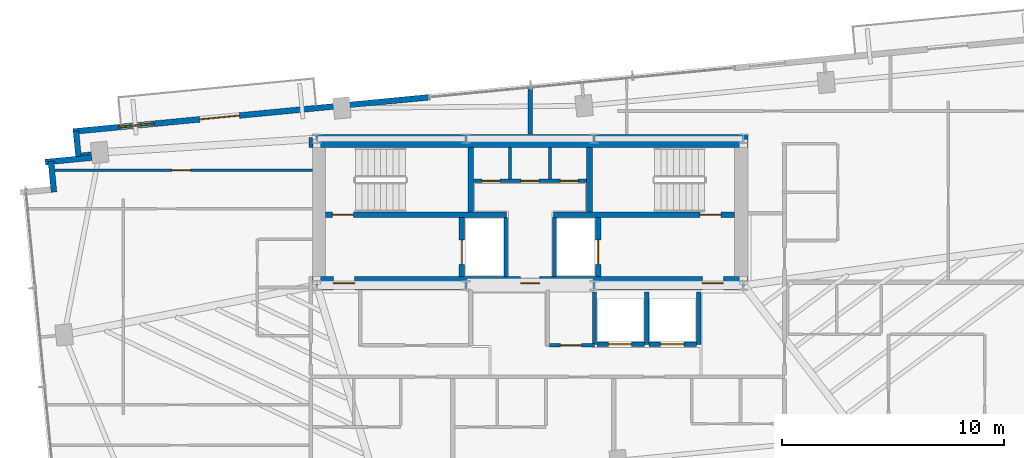
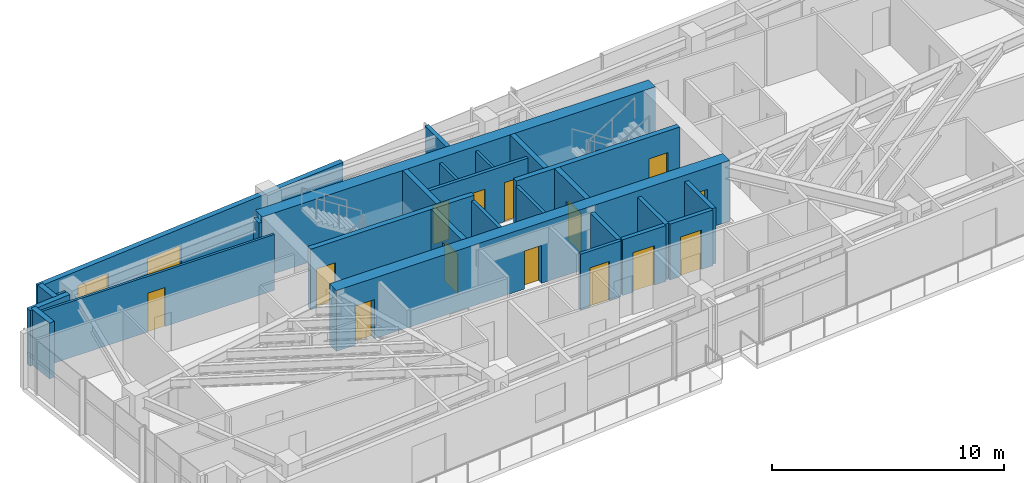
# One storey, part 14 of 18: 27 walls, 15 doors, 1 window, 16 openings.
"""IFC4 building model written with IfcOpenShell, lengths in metres."""

from ifc_helpers import new_model, si_unit, direction, frame, frame_2d, origin, place, context, subcontext, project, spatial, rectangle, extrude, source, transform, mapped, material, layer, layer_set, type_object, type_shapes, element, fill, save


model = new_model("IFC4")

# Units and contexts
model_context = context("Model", 3, precision=1e-05, world=origin(), true_north=direction((0.0, 1.0)))
body_context = subcontext(model_context, "Body", "Model", "MODEL_VIEW")
ifc_project = project(units=[si_unit("LENGTHUNIT", "METRE"), si_unit("AREAUNIT", "SQUARE_METRE"), si_unit("VOLUMEUNIT", "CUBIC_METRE"), si_unit("PLANEANGLEUNIT", "RADIAN"), si_unit("MASSUNIT", "GRAM", prefix="KILO")], contexts=[model_context])

# Site, building, storey
site_placement = place(None, origin())
site = spatial("IfcSite", under=ifc_project, at=site_placement, CompositionType="ELEMENT")
building_placement = place(site_placement, origin())
building = spatial("IfcBuilding", under=site, at=building_placement, Name="Astriad Promenade Condominiums", CompositionType="ELEMENT")
storey_placement = place(building_placement, frame((0.0, 0.0, 192.199951171875)))
storey = spatial("IfcBuildingStorey", under=building, at=storey_placement, Name="L55", CompositionType="ELEMENT", Elevation=192.199951171875)

# Wall, openings, doors
ifc_material_1 = material(Name="Concrete C50/60", Category="concrete")
ifc_layer_1 = layer(ifc_material_1, 0.60009765625)
ifc_layer_set_1 = layer_set([ifc_layer_1], Name="Concrete C50/60")
wall_type_1 = type_object("IfcWallType", Name="CW-SHEAR-600", PredefinedType="SHEAR", material=ifc_layer_set_1)
wall_1_placement = place(storey_placement, frame((26.199951171875, 17.5, 0.0), z_axis=(0.0, 0.0, 1.0), x_axis=(1.0, 0.0, 0.0)))
wall_1 = element("IfcWall", 1, at=wall_1_placement, inside=storey, type_object=wall_type_1, Name="CW-CORE-S-L55", PredefinedType="SHEAR", context=body_context, shape_type="SweptSolid", body=[
    extrude(rectangle(XDim=19.60009765625, YDim=0.60009765625, at=frame_2d((9.800048828125, 0.0))), origin(), (0.0, 0.0, 1.0), 3.199951171875),
])
opening_1_placement = place(wall_1_placement, frame((0.949951171875, 0.0, 0.0)))
opening_1 = element("IfcOpeningElement", 2, at=opening_1_placement, cuts=wall_1, Name="Opening FD90-ST-095", PredefinedType="OPENING", context=body_context, shape_type="SweptSolid", body=[
    extrude(rectangle(XDim=0.949951171875, YDim=2.06005859375, at=frame_2d((0.47509765625, 1.030029296875))), frame((0.0, 0.31005859375, 0.0), z_axis=(0.0, -1.0, 0.0), x_axis=(1.0, 0.0, 0.0)), (0.0, 0.0, 1.0), 0.6201171875),
])
opening_2_placement = place(wall_1_placement, frame((9.3798828125, 0.0, 0.0)))
opening_2 = element("IfcOpeningElement", 3, at=opening_2_placement, cuts=wall_1, Name="Opening FD60-ULOW-085", PredefinedType="OPENING", context=body_context, shape_type="SweptSolid", body=[
    extrude(rectangle(XDim=0.85009765625, YDim=2.0, at=frame_2d((0.425048828125, 1.0))), frame((0.0, 0.31005859375, 0.0), z_axis=(0.0, -1.0, 0.0), x_axis=(1.0, 0.0, 0.0)), (0.0, 0.0, 1.0), 0.6201171875),
])
opening_3_placement = place(wall_1_placement, frame((17.550048828125, 0.0, 0.0)))
opening_3 = element("IfcOpeningElement", 4, at=opening_3_placement, cuts=wall_1, Name="Opening FD90-ST-095", PredefinedType="OPENING", context=body_context, shape_type="SweptSolid", body=[
    extrude(rectangle(XDim=0.949951171875, YDim=2.06005859375, at=frame_2d((0.47509765625, 1.030029296875))), frame((0.0, 0.31005859375, 0.0), z_axis=(0.0, -1.0, 0.0), x_axis=(1.0, 0.0, 0.0)), (0.0, 0.0, 1.0), 0.6201171875),
])
ifc_material_2 = material(Name="Fire-Rated Hollow Metal Stair Door")
door_type_1 = type_object("IfcDoorType", Name="FD90-ST-095", OperationType="NOTDEFINED", PredefinedType="DOOR", material=ifc_material_2)
shared_shape_1 = source(origin(), body_context, "Body", "SweptSolid", [
    extrude(rectangle(XDim=0.949951171875, YDim=2.06005859375, at=frame_2d((0.47509765625, 1.030029296875))), frame((0.0, 0.02490234375, 0.0), z_axis=(0.0, -1.0, 0.0), x_axis=(1.0, 0.0, 0.0)), (0.0, 0.0, 1.0), 0.050048828125),
])
type_shapes(door_type_1, [shared_shape_1])
door_1_placement = place(opening_1_placement, origin())
door_1 = element("IfcDoor", 5, at=door_1_placement, inside=storey, type_object=door_type_1, Name="D-FFW-L55", OperationType="SINGLE_SWING_LEFT", OverallHeight=2.06005859375, OverallWidth=0.949951171875, PredefinedType="DOOR", context=body_context, shape_type="MappedRepresentation", body=[
    mapped(shared_shape_1, transform((0.0, 0.0, 0.0), scale=1.0)),
])
fill(opening_1, door_1)
door_2_placement = place(opening_3_placement, origin())
door_2 = element("IfcDoor", 6, at=door_2_placement, inside=storey, type_object=door_type_1, Name="D-FFE-L55", OperationType="SINGLE_SWING_RIGHT", OverallHeight=2.06005859375, OverallWidth=0.949951171875, PredefinedType="DOOR", context=body_context, shape_type="MappedRepresentation", body=[
    mapped(shared_shape_1, transform((0.0, 0.0, 0.0), scale=1.0)),
])
fill(opening_3, door_2)
ifc_material_3 = material(Name="Solid-Core Low-Headroom Fire Door")
door_type_2 = type_object("IfcDoorType", Name="FD60-ULOW-085", OperationType="NOTDEFINED", PredefinedType="DOOR", material=ifc_material_3)
shared_shape_2 = source(origin(), body_context, "Body", "SweptSolid", [
    extrude(rectangle(XDim=0.85009765625, YDim=2.0, at=frame_2d((0.425048828125, 1.0))), frame((0.0, 0.02490234375, 0.0), z_axis=(0.0, -1.0, 0.0), x_axis=(1.0, 0.0, 0.0)), (0.0, 0.0, 1.0), 0.050048828125),
])
type_shapes(door_type_2, [shared_shape_2])
door_3_placement = place(opening_2_placement, origin())
door_3 = element("IfcDoor", 7, at=door_3_placement, inside=storey, type_object=door_type_2, Name="D-CSL-L55", OperationType="SINGLE_SWING_RIGHT", OverallHeight=2.0, OverallWidth=0.85009765625, PredefinedType="DOOR", context=body_context, shape_type="MappedRepresentation", body=[
    mapped(shared_shape_2, transform((0.0, 0.0, 0.0), scale=1.0)),
])
fill(opening_2, door_3)

# Wall
wall_2_placement = place(storey_placement, frame((26.199951171875, 23.89990234375, 0.0), z_axis=(0.0, 0.0, 1.0), x_axis=(1.0, 0.0, 0.0)))
element("IfcWall", 8, at=wall_2_placement, inside=storey, type_object=wall_type_1, Name="CW-CORE-N-L55", PredefinedType="SHEAR", context=body_context, shape_type="SweptSolid", body=[
    extrude(rectangle(XDim=19.60009765625, YDim=0.60009765625, at=frame_2d((9.800048828125, 0.0))), origin(), (0.0, 0.0, 1.0), 3.199951171875),
])

# Wall, opening, door
ifc_layer_2 = layer(ifc_material_1, 0.25)
ifc_layer_set_2 = layer_set([ifc_layer_2], Name="Concrete C50/60")
wall_type_2 = type_object("IfcWallType", Name="WALL-CORE-INT-250", PredefinedType="SOLIDWALL", material=ifc_layer_set_2)
wall_3_placement = place(storey_placement, frame((26.802001953125, 20.574951171875, 0.0), z_axis=(0.0, 0.0, 1.0), x_axis=(1.0, 0.0, 0.0)))
wall_3 = element("IfcWall", 9, at=wall_3_placement, inside=storey, type_object=wall_type_2, Name="CW-INT-H1-L55", PredefinedType="SOLIDWALL", context=body_context, shape_type="SweptSolid", body=[
    extrude(rectangle(XDim=8.14794921875, YDim=0.25, at=frame_2d((4.073974609375, 0.0))), origin(), (0.0, 0.0, 1.0), 3.199951171875),
])
opening_4_placement = place(wall_3_placement, frame((0.298095703125, 0.0, 0.0)))
opening_4 = element("IfcOpeningElement", 10, at=opening_4_placement, cuts=wall_3, Name="Opening FD90-ST-095", PredefinedType="OPENING", context=body_context, shape_type="SweptSolid", body=[
    extrude(rectangle(XDim=0.949951171875, YDim=2.06005859375, at=frame_2d((0.47509765625, 1.030029296875))), frame((0.0, 0.135009765625, 0.0), z_axis=(0.0, -1.0, 0.0), x_axis=(1.0, 0.0, 0.0)), (0.0, 0.0, 1.0), 0.27001953125),
])
door_4_placement = place(opening_4_placement, origin())
door_4 = element("IfcDoor", 11, at=door_4_placement, inside=storey, type_object=door_type_1, Name="D-ST1-L55", OperationType="SINGLE_SWING_RIGHT", OverallHeight=2.06005859375, OverallWidth=0.949951171875, PredefinedType="DOOR", context=body_context, shape_type="MappedRepresentation", body=[
    mapped(shared_shape_1, transform((0.0, 0.0, 0.0), scale=1.0)),
])
fill(opening_4, door_4)

wall_4_placement = place(storey_placement, frame((37.050048828125, 20.574951171875, 0.0), z_axis=(0.0, 0.0, 1.0), x_axis=(1.0, 0.0, 0.0)))
wall_4 = element("IfcWall", 12, at=wall_4_placement, inside=storey, type_object=wall_type_2, Name="CW-INT-H2-L55", PredefinedType="SOLIDWALL", context=body_context, shape_type="SweptSolid", body=[
    extrude(rectangle(XDim=8.14794921875, YDim=0.25, at=frame_2d((4.073974609375, 0.0))), origin(), (0.0, 0.0, 1.0), 3.199951171875),
])
opening_5_placement = place(wall_4_placement, frame((6.60009765625, 0.0, 0.0)))
opening_5 = element("IfcOpeningElement", 13, at=opening_5_placement, cuts=wall_4, Name="Opening FD90-ST-095", PredefinedType="OPENING", context=body_context, shape_type="SweptSolid", body=[
    extrude(rectangle(XDim=0.949951171875, YDim=2.06005859375, at=frame_2d((0.47509765625, 1.030029296875))), frame((0.0, 0.135009765625, 0.0), z_axis=(0.0, -1.0, 0.0), x_axis=(1.0, 0.0, 0.0)), (0.0, 0.0, 1.0), 0.27001953125),
])
door_5_placement = place(opening_5_placement, origin())
door_5 = element("IfcDoor", 14, at=door_5_placement, inside=storey, type_object=door_type_1, Name="D-ST2-L55", OperationType="SINGLE_SWING_LEFT", OverallHeight=2.06005859375, OverallWidth=0.949951171875, PredefinedType="DOOR", context=body_context, shape_type="MappedRepresentation", body=[
    mapped(shared_shape_1, transform((0.0, 0.0, 0.0), scale=1.0)),
])
fill(opening_5, door_5)

# Walls
for number, where, z_axis, x_axis, name in (
    (15, (33.324951171875, 20.701904296875, 0.0), (0.0, 0.0, 1.0), (0.0, 1.0, 0.0), "CW-ST1-E-L55"),
    (16, (38.675048828125, 20.701904296875, 0.0), (0.0, 0.0, 1.0), (0.0, 1.0, 0.0), "CW-ST2-W-L55"),
):
    element("IfcWall", number, at=place(storey_placement, frame(where, z_axis=z_axis, x_axis=x_axis)), inside=storey, type_object=wall_type_2, Name=name, PredefinedType="SOLIDWALL", context=body_context, shape_type="SweptSolid", body=[
        extrude(rectangle(XDim=2.89599609375, YDim=0.25, at=frame_2d((1.447998046875, 0.0))), origin(), (0.0, 0.0, 1.0), 3.199951171875),
    ])

# Wall, opening, door
wall_5_placement = place(storey_placement, frame((32.925048828125, 17.802001953125, 0.0), z_axis=(0.0, 0.0, 1.0), x_axis=(0.0, 1.0, 0.0)))
wall_5 = element("IfcWall", 17, at=wall_5_placement, inside=storey, type_object=wall_type_2, Name="CW-FFL1-W-L55", PredefinedType="SOLIDWALL", context=body_context, shape_type="SweptSolid", body=[
    extrude(rectangle(XDim=2.64599609375, YDim=0.25, at=frame_2d((1.322998046875, 0.0))), origin(), (0.0, 0.0, 1.0), 3.199951171875),
])
opening_6_placement = place(wall_5_placement, frame((0.548095703125, 0.0, 0.0)))
opening_6 = element("IfcOpeningElement", 18, at=opening_6_placement, cuts=wall_5, Name="Opening LD-FFL-1122", PredefinedType="OPENING", context=body_context, shape_type="SweptSolid", body=[
    extrude(rectangle(XDim=1.10009765625, YDim=2.080078125, at=frame_2d((0.550048828125, 1.0400390625))), frame((0.0, 0.135009765625, 0.0), z_axis=(0.0, -1.0, 0.0), x_axis=(1.0, 0.0, 0.0)), (0.0, 0.0, 1.0), 0.27001953125),
])
ifc_material_4 = material(Name="Brushed Stainless Steel Fire Elevator Landing Door", Category="steel")
door_type_3 = type_object("IfcDoorType", Name="LD-FFL-1122", OperationType="NOTDEFINED", PredefinedType="DOOR", material=ifc_material_4)
shared_shape_3 = source(origin(), body_context, "Body", "SweptSolid", [
    extrude(rectangle(XDim=1.10009765625, YDim=2.080078125, at=frame_2d((0.550048828125, 1.0400390625))), frame((0.0, 0.02490234375, 0.0), z_axis=(0.0, -1.0, 0.0), x_axis=(1.0, 0.0, 0.0)), (0.0, 0.0, 1.0), 0.050048828125),
])
type_shapes(door_type_3, [shared_shape_3])
door_6_placement = place(opening_6_placement, origin())
door_6 = element("IfcDoor", 19, at=door_6_placement, inside=storey, type_object=door_type_3, Name="Elevator Landing Door FFL-1 (L55)", OperationType="SLIDING_TO_LEFT", OverallHeight=2.080078125, OverallWidth=1.10009765625, PredefinedType="DOOR", context=body_context, shape_type="MappedRepresentation", body=[
    mapped(shared_shape_3, transform((0.0, 0.0, 0.0), scale=1.0)),
])
fill(opening_6, door_6)

wall_6_placement = place(storey_placement, frame((39.074951171875, 17.802001953125, 0.0), z_axis=(0.0, 0.0, 1.0), x_axis=(0.0, 1.0, 0.0)))
wall_6 = element("IfcWall", 20, at=wall_6_placement, inside=storey, type_object=wall_type_2, Name="CW-FFL2-E-L55", PredefinedType="SOLIDWALL", context=body_context, shape_type="SweptSolid", body=[
    extrude(rectangle(XDim=2.64599609375, YDim=0.25, at=frame_2d((1.322998046875, 0.0))), origin(), (0.0, 0.0, 1.0), 3.199951171875),
])
opening_7_placement = place(wall_6_placement, frame((0.548095703125, 0.0, 0.0)))
opening_7 = element("IfcOpeningElement", 21, at=opening_7_placement, cuts=wall_6, Name="Opening LD-FFL-1122", PredefinedType="OPENING", context=body_context, shape_type="SweptSolid", body=[
    extrude(rectangle(XDim=1.10009765625, YDim=2.080078125, at=frame_2d((0.550048828125, 1.0400390625))), frame((0.0, 0.135009765625, 0.0), z_axis=(0.0, -1.0, 0.0), x_axis=(1.0, 0.0, 0.0)), (0.0, 0.0, 1.0), 0.27001953125),
])
door_7_placement = place(opening_7_placement, origin())
door_7 = element("IfcDoor", 22, at=door_7_placement, inside=storey, type_object=door_type_3, Name="Elevator Landing Door FFL-2 (L55)", OperationType="SLIDING_TO_RIGHT", OverallHeight=2.080078125, OverallWidth=1.10009765625, PredefinedType="DOOR", context=body_context, shape_type="MappedRepresentation", body=[
    mapped(shared_shape_3, transform((0.0, 0.0, 0.0), scale=1.0)),
])
fill(opening_7, door_7)

# Walls
ifc_material_5 = material(Name="Fire-Rated Gypsum Partition")
ifc_layer_3 = layer(ifc_material_5, 0.159912109375)
ifc_layer_set_3 = layer_set([ifc_layer_3], Name="Fire-Rated Gypsum Partition")
wall_type_3 = type_object("IfcWallType", Name="WALL-CORR-160", PredefinedType="PARTITIONING", material=ifc_layer_set_3)
for number, where, z_axis, x_axis, name in (
    (23, (34.89990234375, 17.802001953125, 0.0), (0.0, 0.0, 1.0), (0.0, 1.0, 0.0), "CW-FFL1-E-L55"),
    (24, (37.10009765625, 17.802001953125, 0.0), (0.0, 0.0, 1.0), (0.0, 1.0, 0.0), "CW-FFL2-W-L55"),
):
    element("IfcWall", number, at=place(storey_placement, frame(where, z_axis=z_axis, x_axis=x_axis)), inside=storey, type_object=wall_type_3, Name=name, PredefinedType="PARTITIONING", context=body_context, shape_type="SweptSolid", body=[
        extrude(rectangle(XDim=2.64599609375, YDim=0.159912109375, at=frame_2d((1.322998046875, 0.0))), origin(), (0.0, 0.0, 1.0), 2.93994140625),
    ])

# Wall, openings, doors
wall_7_placement = place(storey_placement, frame((33.451904296875, 22.10009765625, 0.0), z_axis=(0.0, 0.0, 1.0), x_axis=(1.0, 0.0, 0.0)))
wall_7 = element("IfcWall", 25, at=wall_7_placement, inside=storey, type_object=wall_type_3, Name="CW-AUX-N-L55", PredefinedType="PARTITIONING", context=body_context, shape_type="SweptSolid", body=[
    extrude(rectangle(XDim=5.09619140625, YDim=0.159912109375, at=frame_2d((2.548095703125, 0.0))), origin(), (0.0, 0.0, 1.0), 2.93994140625),
])
opening_8_placement = place(wall_7_placement, frame((0.387939453125, 0.0, 0.0)))
opening_8 = element("IfcOpeningElement", 26, at=opening_8_placement, cuts=wall_7, Name="Opening FD60-SV-080", PredefinedType="OPENING", context=body_context, shape_type="SweptSolid", body=[
    extrude(rectangle(XDim=0.800048828125, YDim=2.050048828125, at=frame_2d((0.39990234375, 1.02490234375))), frame((0.0, 0.08984375, 0.0), z_axis=(0.0, -1.0, 0.0), x_axis=(1.0, 0.0, 0.0)), (0.0, 0.0, 1.0), 0.179931640625),
])
opening_9_placement = place(wall_7_placement, frame((2.14794921875, 0.0, 0.0)))
opening_9 = element("IfcOpeningElement", 27, at=opening_9_placement, cuts=wall_7, Name="Opening FD60-SV-080", PredefinedType="OPENING", context=body_context, shape_type="SweptSolid", body=[
    extrude(rectangle(XDim=0.800048828125, YDim=2.050048828125, at=frame_2d((0.39990234375, 1.02490234375))), frame((0.0, 0.08984375, 0.0), z_axis=(0.0, -1.0, 0.0), x_axis=(1.0, 0.0, 0.0)), (0.0, 0.0, 1.0), 0.179931640625),
])
opening_10_placement = place(wall_7_placement, frame((3.907958984375, 0.0, 0.0)))
opening_10 = element("IfcOpeningElement", 28, at=opening_10_placement, cuts=wall_7, Name="Opening FD60-SV-080", PredefinedType="OPENING", context=body_context, shape_type="SweptSolid", body=[
    extrude(rectangle(XDim=0.800048828125, YDim=2.050048828125, at=frame_2d((0.39990234375, 1.02490234375))), frame((0.0, 0.08984375, 0.0), z_axis=(0.0, -1.0, 0.0), x_axis=(1.0, 0.0, 0.0)), (0.0, 0.0, 1.0), 0.179931640625),
])
ifc_material_6 = material(Name="Fire-Rated Riser Closet Door")
door_type_4 = type_object("IfcDoorType", Name="FD60-SV-080", OperationType="NOTDEFINED", PredefinedType="DOOR", material=ifc_material_6)
shared_shape_4 = source(origin(), body_context, "Body", "SweptSolid", [
    extrude(rectangle(XDim=0.800048828125, YDim=2.050048828125, at=frame_2d((0.39990234375, 1.02490234375))), frame((0.0, 0.02490234375, 0.0), z_axis=(0.0, -1.0, 0.0), x_axis=(1.0, 0.0, 0.0)), (0.0, 0.0, 1.0), 0.050048828125),
])
type_shapes(door_type_4, [shared_shape_4])
door_8_placement = place(opening_8_placement, origin())
door_8 = element("IfcDoor", 29, at=door_8_placement, inside=storey, type_object=door_type_4, Name="D-AUX1-L55", OperationType="SINGLE_SWING_RIGHT", OverallHeight=2.050048828125, OverallWidth=0.800048828125, PredefinedType="DOOR", context=body_context, shape_type="MappedRepresentation", body=[
    mapped(shared_shape_4, transform((0.0, 0.0, 0.0), scale=1.0)),
])
fill(opening_8, door_8)
door_9_placement = place(opening_9_placement, origin())
door_9 = element("IfcDoor", 30, at=door_9_placement, inside=storey, type_object=door_type_4, Name="D-AUX2-L55", OperationType="SINGLE_SWING_LEFT", OverallHeight=2.050048828125, OverallWidth=0.800048828125, PredefinedType="DOOR", context=body_context, shape_type="MappedRepresentation", body=[
    mapped(shared_shape_4, transform((0.0, 0.0, 0.0), scale=1.0)),
])
fill(opening_9, door_9)
door_10_placement = place(opening_10_placement, origin())
door_10 = element("IfcDoor", 31, at=door_10_placement, inside=storey, type_object=door_type_4, Name="D-AUX3-L55", OperationType="SINGLE_SWING_RIGHT", OverallHeight=2.050048828125, OverallWidth=0.800048828125, PredefinedType="DOOR", context=body_context, shape_type="MappedRepresentation", body=[
    mapped(shared_shape_4, transform((0.0, 0.0, 0.0), scale=1.0)),
])
fill(opening_10, door_10)

# Wall
wall_8_placement = place(storey_placement, frame((26.1201171875, 23.597900390625, 0.0), z_axis=(0.0, 0.0, 1.0), x_axis=(0.0, 1.0, 0.0)))
element("IfcWall", 32, at=wall_8_placement, inside=storey, type_object=wall_type_3, Name="PT-COR-W-L55-S3", PredefinedType="PARTITIONING", context=body_context, shape_type="SweptSolid", body=[
    extrude(rectangle(XDim=0.4521484375, YDim=0.159912109375, at=frame_2d((0.22607421875, 0.0))), origin(), (0.0, 0.0, 1.0), 2.93994140625),
])

# Wall, opening, door
wall_9_placement = place(storey_placement, frame((36.882080078125, 14.699951171875, 0.0), z_axis=(0.0, 0.0, 1.0), x_axis=(1.0, 0.0, 0.0)))
wall_9 = element("IfcWall", 33, at=wall_9_placement, inside=storey, type_object=wall_type_3, Name="PT-Z3R2-S-L55", PredefinedType="PARTITIONING", context=body_context, shape_type="SweptSolid", body=[
    extrude(rectangle(XDim=2.017822265625, YDim=0.159912109375, at=frame_2d((1.0087890625, 0.0))), origin(), (0.0, 0.0, 1.0), 2.93994140625),
])
opening_11_placement = place(wall_9_placement, frame((0.48291015625, 0.0, 0.0)))
opening_11 = element("IfcOpeningElement", 34, at=opening_11_placement, cuts=wall_9, Name="Opening FD60-APT-095", PredefinedType="OPENING", context=body_context, shape_type="SweptSolid", body=[
    extrude(rectangle(XDim=0.949951171875, YDim=2.06005859375, at=frame_2d((0.47509765625, 1.030029296875))), frame((0.0, 0.08984375, 0.0), z_axis=(0.0, -1.0, 0.0), x_axis=(1.0, 0.0, 0.0)), (0.0, 0.0, 1.0), 0.179931640625),
])
ifc_material_7 = material(Name="Solid-Core Acoustic Timber Residence Entry Door", Category="wood")
door_type_5 = type_object("IfcDoorType", Name="FD60-APT-095", OperationType="NOTDEFINED", PredefinedType="DOOR", material=ifc_material_7)
shared_shape_5 = source(origin(), body_context, "Body", "SweptSolid", [
    extrude(rectangle(XDim=0.949951171875, YDim=2.06005859375, at=frame_2d((0.47509765625, 1.030029296875))), frame((0.0, 0.02490234375, 0.0), z_axis=(0.0, -1.0, 0.0), x_axis=(1.0, 0.0, 0.0)), (0.0, 0.0, 1.0), 0.050048828125),
])
type_shapes(door_type_5, [shared_shape_5])
door_11_placement = place(opening_11_placement, origin())
door_11 = element("IfcDoor", 35, at=door_11_placement, inside=storey, type_object=door_type_5, Name="D-Z3N-L55", OperationType="SINGLE_SWING_RIGHT", OverallHeight=2.06005859375, OverallWidth=0.949951171875, PredefinedType="DOOR", context=body_context, shape_type="MappedRepresentation", body=[
    mapped(shared_shape_5, transform((0.0, 0.0, 0.0), scale=1.0)),
])
fill(opening_11, door_11)

# Walls
ifc_material_8 = material(Name="Acoustic Double-Stud Gypsum Partition")
ifc_layer_4 = layer(ifc_material_8, 0.199951171875)
ifc_layer_set_4 = layer_set([ifc_layer_4], Name="Acoustic Double-Stud Gypsum Partition")
wall_type_4 = type_object("IfcWallType", Name="WALL-DEMISING-200", PredefinedType="PARTITIONING", material=ifc_layer_set_4)
wall_10_placement = place(storey_placement, frame((36.0, 24.201904296875, 0.0), z_axis=(0.0, 0.0, 1.0), x_axis=(0.0, 1.0, 0.0)))
element("IfcWall", 36, at=wall_10_placement, inside=storey, type_object=wall_type_4, Name="PT-NC-MID-L55", PredefinedType="PARTITIONING", context=body_context, shape_type="SweptSolid", body=[
    extrude(rectangle(XDim=2.152099609375, YDim=0.199951171875, at=frame_2d((1.076171875, 0.0))), origin(), (0.0, 0.0, 1.0), 2.93994140625),
])
ifc_material_9 = material(Name="Precast concrete C50/60", Category="concrete")
ifc_layer_5 = layer(ifc_material_9, 0.260009765625)
ifc_layer_set_5 = layer_set([ifc_layer_5], Name="Precast concrete C50/60")
wall_type_5 = type_object("IfcWallType", Name="WALL-EXT-TWR-260", PredefinedType="STANDARD", material=ifc_layer_set_5)
wall_11_placement = place(storey_placement, frame((14.57373046875, 21.5986328125, 0.0), z_axis=(0.0, 0.0, 1.0), x_axis=(-0.095742423056, 0.99540614245, 0.0)))
element("IfcWall", 37, at=wall_11_placement, inside=storey, type_object=wall_type_5, Name="W-SER-L55-05", PredefinedType="STANDARD", context=body_context, shape_type="SweptSolid", body=[
    extrude(rectangle(XDim=1.394775390625, YDim=0.260009765625, at=frame_2d((0.697265625, 0.0))), origin(), (0.0, 0.0, 1.0), 2.93994140625),
])
wall_12_placement = place(storey_placement, frame((14.182861328125, 22.947265625, 0.0), z_axis=(0.0, 0.0, 1.0), x_axis=(0.995401580483, 0.095789840651, 0.0)))
element("IfcWall", 38, at=wall_12_placement, inside=storey, type_object=wall_type_5, Name="W-SER-L55-06", PredefinedType="STANDARD", context=body_context, shape_type="SweptSolid", body=[
    extrude(rectangle(XDim=2.102783203125, YDim=0.260009765625, at=frame_2d((1.05126953125, 0.0))), origin(), (0.0, 0.0, 1.0), 2.93994140625),
])
wall_13_placement = place(storey_placement, frame((15.6748046875, 23.20654296875, 0.0), z_axis=(0.0, 0.0, 1.0), x_axis=(-0.095951054827, 0.995386053287, 0.0)))
element("IfcWall", 39, at=wall_13_placement, inside=storey, type_object=wall_type_5, Name="W-SER-L55-07", PredefinedType="STANDARD", context=body_context, shape_type="SweptSolid", body=[
    extrude(rectangle(XDim=1.150146484375, YDim=0.260009765625, at=frame_2d((0.5751953125, 0.0))), origin(), (0.0, 0.0, 1.0), 2.93994140625),
])

# Wall, openings, door, window
wall_14_placement = place(storey_placement, frame((15.4365234375, 24.32373046875, 0.0), z_axis=(0.0, 0.0, 1.0), x_axis=(0.995395627913, 0.095851676732, 0.0)))
wall_14 = element("IfcWall", 40, at=wall_14_placement, inside=storey, type_object=wall_type_5, Name="W-EXT-L55-N1", PredefinedType="STANDARD", context=body_context, shape_type="SweptSolid", body=[
    extrude(rectangle(XDim=16.10009765625, YDim=0.260009765625, at=frame_2d((8.050048828125, 0.0))), origin(), (0.0, 0.0, 1.0), 2.93994140625),
])
opening_12_placement = place(wall_14_placement, frame((5.720947265625, 0.0, 0.0)))
opening_12 = element("IfcOpeningElement", 41, at=opening_12_placement, cuts=wall_14, Name="Opening BD-1822-SLD", PredefinedType="OPENING", context=body_context, shape_type="SweptSolid", body=[
    extrude(rectangle(XDim=1.800048828125, YDim=2.06005859375, at=frame_2d((0.89990234375, 1.030029296875))), frame((0.0, 0.139892578125, 0.0), z_axis=(0.0, -1.0, 0.0), x_axis=(1.0, 0.0, 0.0)), (0.0, 0.0, 1.0), 0.280029296875),
])
opening_13_placement = place(wall_14_placement, frame((2.050048828125, 0.0, 0.64990234375)))
opening_13 = element("IfcOpeningElement", 42, at=opening_13_placement, cuts=wall_14, Name="Opening WIN-TWR-1620", PredefinedType="OPENING", context=body_context, shape_type="SweptSolid", body=[
    extrude(rectangle(XDim=1.60009765625, YDim=1.5, at=frame_2d((0.800048828125, 0.75))), frame((0.0, 0.139892578125, 0.0), z_axis=(0.0, -1.0, 0.0), x_axis=(1.0, 0.0, 0.0)), (0.0, 0.0, 1.0), 0.280029296875),
])
ifc_material_10 = material(Name="Thermally Broken Aluminium Sliding Balcony Door", Category="aluminium")
door_type_6 = type_object("IfcDoorType", Name="BD-1822-SLD", OperationType="NOTDEFINED", PredefinedType="DOOR", material=ifc_material_10)
shared_shape_6 = source(origin(), body_context, "Body", "SweptSolid", [
    extrude(rectangle(XDim=1.800048828125, YDim=2.06005859375, at=frame_2d((0.89990234375, 1.030029296875))), frame((0.0, 0.02490234375, 0.0), z_axis=(0.0, -1.0, 0.0), x_axis=(1.0, 0.0, 0.0)), (0.0, 0.0, 1.0), 0.050048828125),
])
type_shapes(door_type_6, [shared_shape_6])
door_12_placement = place(opening_12_placement, origin())
door_12 = element("IfcDoor", 43, at=door_12_placement, inside=storey, type_object=door_type_6, Name="BD-L55-NW", OperationType="SLIDING_TO_LEFT", OverallHeight=2.06005859375, OverallWidth=1.800048828125, PredefinedType="DOOR", context=body_context, shape_type="MappedRepresentation", body=[
    mapped(shared_shape_6, transform((0.0, 0.0, 0.0), scale=1.0)),
])
fill(opening_12, door_12)
ifc_material_11 = material(Name="Dark Tinted Triple-Glazed Aluminium Window", Category="aluminium")
window_type = type_object("IfcWindowType", Name="WIN-TWR-1620", PartitioningType="SINGLE_PANEL", PredefinedType="WINDOW", material=ifc_material_11)
shared_shape_7 = source(origin(), body_context, "Body", "SweptSolid", [
    extrude(rectangle(XDim=1.60009765625, YDim=1.5, at=frame_2d((0.800048828125, 0.75))), frame((0.0, 0.030029296875, 0.0), z_axis=(0.0, -1.0, 0.0), x_axis=(1.0, 0.0, 0.0)), (0.0, 0.0, 1.0), 0.06005859375),
])
type_shapes(window_type, [shared_shape_7])
window_placement = place(opening_13_placement, origin())
window = element("IfcWindow", 44, at=window_placement, inside=storey, type_object=window_type, Name="WIN-L55-NW", OverallHeight=1.5, OverallWidth=1.60009765625, PartitioningType="SINGLE_PANEL", PredefinedType="WINDOW", context=body_context, shape_type="MappedRepresentation", body=[
    mapped(shared_shape_7, transform((0.0, 0.0, 0.0), scale=1.0)),
])
fill(opening_13, window)

# Walls
ifc_material_12 = material(Name="Acoustic Metal-Stud Gypsum Partition")
ifc_layer_6 = layer(ifc_material_12, 0.1201171875)
ifc_layer_set_6 = layer_set([ifc_layer_6], Name="Acoustic Metal-Stud Gypsum Partition")
wall_type_6 = type_object("IfcWallType", Name="WALL-PART-120", PredefinedType="PARTITIONING", material=ifc_layer_set_6)
for number, where, z_axis, x_axis, name in (
    (45, (35.10009765625, 22.181884765625, 0.0), (0.0, 0.0, 1.0), (0.0, 1.0, 0.0), "CW-AUX-V1-L55"),
    (46, (36.89990234375, 22.181884765625, 0.0), (0.0, 0.0, 1.0), (0.0, 1.0, 0.0), "CW-AUX-V2-L55"),
):
    element("IfcWall", number, at=place(storey_placement, frame(where, z_axis=z_axis, x_axis=x_axis)), inside=storey, type_object=wall_type_6, Name=name, PredefinedType="PARTITIONING", context=body_context, shape_type="SweptSolid", body=[
        extrude(rectangle(XDim=1.416015625, YDim=0.1201171875, at=frame_2d((0.7080078125, 0.0))), origin(), (0.0, 0.0, 1.0), 2.93994140625),
    ])

# Wall, opening, door
wall_15_placement = place(storey_placement, frame((14.612060546875, 22.577880859375, 0.0), z_axis=(0.0, 0.0, 1.0), x_axis=(1.0, 0.0, 0.0)))
wall_15 = element("IfcWall", 47, at=wall_15_placement, inside=storey, type_object=wall_type_6, Name="PT-L55-W1-WDN2", PredefinedType="PARTITIONING", context=body_context, shape_type="SweptSolid", body=[
    extrude(rectangle(XDim=11.5859375, YDim=0.1201171875, at=frame_2d((5.79296875, 0.0))), origin(), (0.0, 0.0, 1.0), 2.93994140625),
])
opening_14_placement = place(wall_15_placement, frame((5.265869140625, 0.0, 0.0)))
opening_14 = element("IfcOpeningElement", 48, at=opening_14_placement, cuts=wall_15, Name="Opening D-INT-085", PredefinedType="OPENING", context=body_context, shape_type="SweptSolid", body=[
    extrude(rectangle(XDim=0.85009765625, YDim=2.050048828125, at=frame_2d((0.425048828125, 1.02490234375))), frame((0.0, 0.070068359375, 0.0), z_axis=(0.0, -1.0, 0.0), x_axis=(1.0, 0.0, 0.0)), (0.0, 0.0, 1.0), 0.14013671875),
])
ifc_material_13 = material(Name="Painted Solid-Core Timber Room Door", Category="wood")
door_type_7 = type_object("IfcDoorType", Name="D-INT-085", OperationType="NOTDEFINED", PredefinedType="DOOR", material=ifc_material_13)
shared_shape_8 = source(origin(), body_context, "Body", "SweptSolid", [
    extrude(rectangle(XDim=0.85009765625, YDim=2.050048828125, at=frame_2d((0.425048828125, 1.02490234375))), frame((0.0, 0.02490234375, 0.0), z_axis=(0.0, -1.0, 0.0), x_axis=(1.0, 0.0, 0.0)), (0.0, 0.0, 1.0), 0.050048828125),
])
type_shapes(door_type_7, [shared_shape_8])
door_13_placement = place(opening_14_placement, origin())
door_13 = element("IfcDoor", 49, at=door_13_placement, inside=storey, type_object=door_type_7, Name="D-WDN2-L55-W1", OperationType="SINGLE_SWING_RIGHT", OverallHeight=2.050048828125, OverallWidth=0.85009765625, PredefinedType="DOOR", context=body_context, shape_type="MappedRepresentation", body=[
    mapped(shared_shape_8, transform((0.0, 0.0, 0.0), scale=1.0)),
])
fill(opening_14, door_13)

# Walls
wall_16_placement = place(storey_placement, frame((16.25390625, 23.34765625, 0.0), z_axis=(0.0, 0.0, 1.0), x_axis=(-0.995389482415, -0.095915474751, 0.0)))
element("IfcWall", 50, at=wall_16_placement, inside=storey, type_object=wall_type_6, Name="PT-PIL-L55-PC06-13", PredefinedType="PARTITIONING", context=body_context, shape_type="SweptSolid", body=[
    extrude(rectangle(XDim=0.458251953125, YDim=0.1201171875, at=frame_2d((0.22900390625, 0.0))), origin(), (0.0, 0.0, 1.0), 2.93994140625),
])
ifc_material_14 = material(Name="Gypsum Shaftliner Assembly")
ifc_layer_7 = layer(ifc_material_14, 0.199951171875)
ifc_layer_set_7 = layer_set([ifc_layer_7], Name="Gypsum Shaftliner Assembly")
wall_type_7 = type_object("IfcWallType", Name="WALL-SHAFT-200", PredefinedType="PARTITIONING", material=ifc_layer_set_7)
for number, where, z_axis, x_axis, name in (
    (51, (38.89990234375, 14.75, 0.0), (0.0, 0.0, 1.0), (0.0, 1.0, 0.0), "PL-MH-DIV-L55"),
    (52, (41.25, 14.75, 0.0), (0.0, 0.0, 1.0), (0.0, 1.0, 0.0), "PL-H-DIV-L55"),
    (53, (43.60009765625, 14.75, 0.0), (0.0, 0.0, 1.0), (0.0, 1.0, 0.0), "PL-E-OUT-L55"),
):
    element("IfcWall", number, at=place(storey_placement, frame(where, z_axis=z_axis, x_axis=x_axis)), inside=storey, type_object=wall_type_7, Name=name, PredefinedType="PARTITIONING", context=body_context, shape_type="SweptSolid", body=[
        extrude(rectangle(XDim=2.35009765625, YDim=0.199951171875, at=frame_2d((1.175048828125, 0.0))), origin(), (0.0, 0.0, 1.0), 2.93994140625),
    ])

# Wall, opening, door
wall_17_placement = place(storey_placement, frame((39.001953125, 14.75, 0.0), z_axis=(0.0, 0.0, 1.0), x_axis=(1.0, 0.0, 0.0)))
wall_17 = element("IfcWall", 54, at=wall_17_placement, inside=storey, type_object=wall_type_7, Name="PL-H-FRT-L55", PredefinedType="PARTITIONING", context=body_context, shape_type="SweptSolid", body=[
    extrude(rectangle(XDim=2.14599609375, YDim=0.199951171875, at=frame_2d((1.072998046875, 0.0))), origin(), (0.0, 0.0, 1.0), 2.93994140625),
])
opening_15_placement = place(wall_17_placement, frame((0.52294921875, 0.0, 0.0)))
opening_15 = element("IfcOpeningElement", 55, at=opening_15_placement, cuts=wall_17, Name="Opening LD-PL-10522", PredefinedType="OPENING", context=body_context, shape_type="SweptSolid", body=[
    extrude(rectangle(XDim=1.050048828125, YDim=2.080078125, at=frame_2d((0.52490234375, 1.0400390625))), frame((0.0, 0.10986328125, 0.0), z_axis=(0.0, -1.0, 0.0), x_axis=(1.0, 0.0, 0.0)), (0.0, 0.0, 1.0), 0.219970703125),
])
ifc_material_15 = material(Name="Brushed Bronze Passenger Elevator Landing Door")
door_type_8 = type_object("IfcDoorType", Name="LD-PL-10522", OperationType="NOTDEFINED", PredefinedType="DOOR", material=ifc_material_15)
shared_shape_9 = source(origin(), body_context, "Body", "SweptSolid", [
    extrude(rectangle(XDim=1.050048828125, YDim=2.080078125, at=frame_2d((0.52490234375, 1.0400390625))), frame((0.0, 0.02490234375, 0.0), z_axis=(0.0, -1.0, 0.0), x_axis=(1.0, 0.0, 0.0)), (0.0, 0.0, 1.0), 0.050048828125),
])
type_shapes(door_type_8, [shared_shape_9])
door_14_placement = place(opening_15_placement, origin())
door_14 = element("IfcDoor", 56, at=door_14_placement, inside=storey, type_object=door_type_8, Name="Elevator Landing Door PL-H1 (L55)", OperationType="SLIDING_TO_LEFT", OverallHeight=2.080078125, OverallWidth=1.050048828125, PredefinedType="DOOR", context=body_context, shape_type="MappedRepresentation", body=[
    mapped(shared_shape_9, transform((0.0, 0.0, 0.0), scale=1.0)),
])
fill(opening_15, door_14)

wall_18_placement = place(storey_placement, frame((41.35205078125, 14.75, 0.0), z_axis=(0.0, 0.0, 1.0), x_axis=(1.0, 0.0, 0.0)))
wall_18 = element("IfcWall", 57, at=wall_18_placement, inside=storey, type_object=wall_type_7, Name="PL-H-FRT-L55-S2", PredefinedType="PARTITIONING", context=body_context, shape_type="SweptSolid", body=[
    extrude(rectangle(XDim=2.14599609375, YDim=0.199951171875, at=frame_2d((1.072998046875, 0.0))), origin(), (0.0, 0.0, 1.0), 2.93994140625),
])
opening_16_placement = place(wall_18_placement, frame((0.52294921875, 0.0, 0.0)))
opening_16 = element("IfcOpeningElement", 58, at=opening_16_placement, cuts=wall_18, Name="Opening LD-PL-10522", PredefinedType="OPENING", context=body_context, shape_type="SweptSolid", body=[
    extrude(rectangle(XDim=1.050048828125, YDim=2.080078125, at=frame_2d((0.52490234375, 1.0400390625))), frame((0.0, 0.10986328125, 0.0), z_axis=(0.0, -1.0, 0.0), x_axis=(1.0, 0.0, 0.0)), (0.0, 0.0, 1.0), 0.219970703125),
])
door_15_placement = place(opening_16_placement, origin())
door_15 = element("IfcDoor", 59, at=door_15_placement, inside=storey, type_object=door_type_8, Name="Elevator Landing Door PL-H2 (L55)", OperationType="SLIDING_TO_RIGHT", OverallHeight=2.080078125, OverallWidth=1.050048828125, PredefinedType="DOOR", context=body_context, shape_type="MappedRepresentation", body=[
    mapped(shared_shape_9, transform((0.0, 0.0, 0.0), scale=1.0)),
])
fill(opening_16, door_15)

save(model, "model.ifc")
